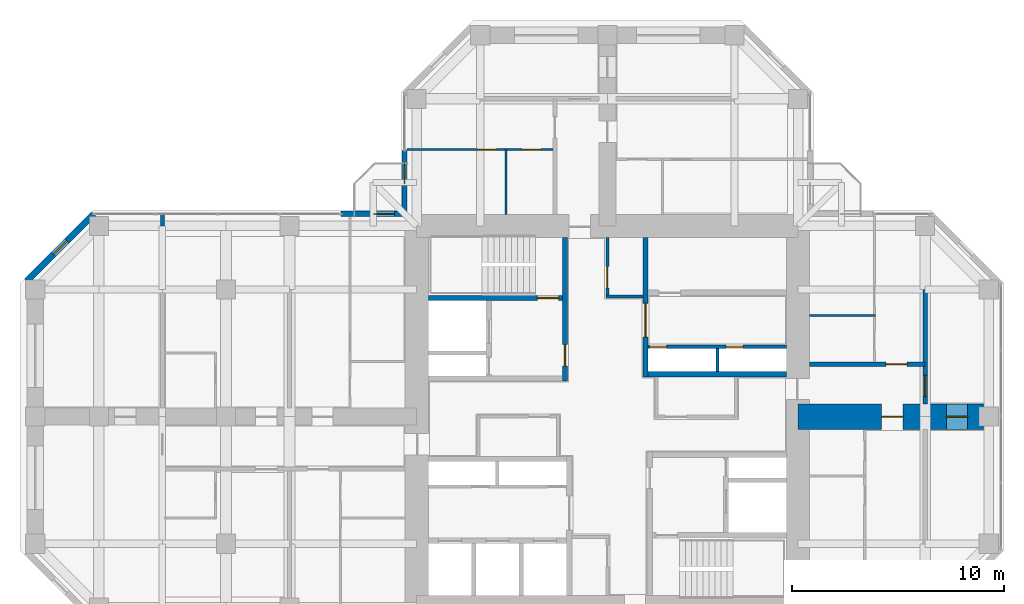
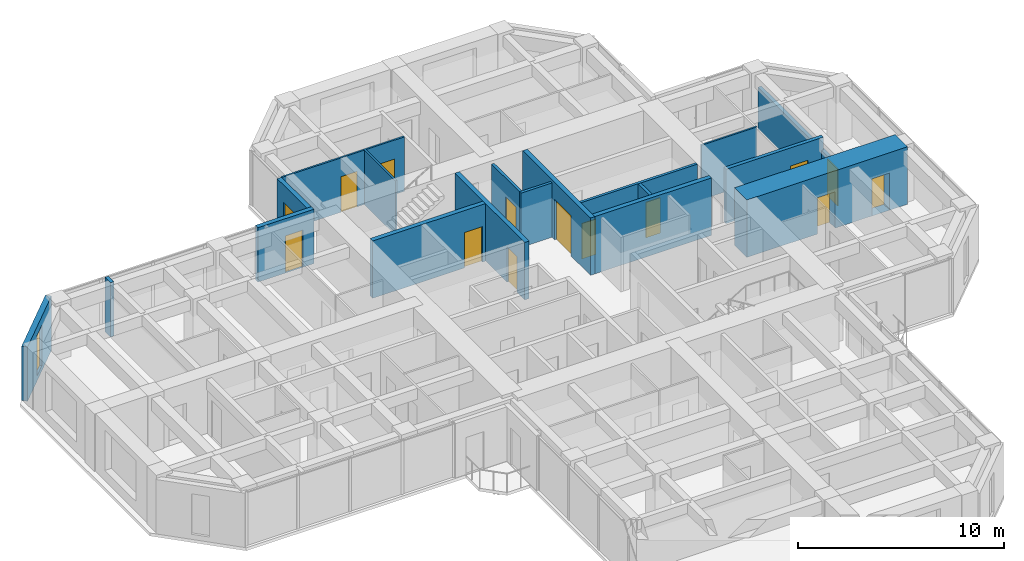
# One storey, part 11 of 14: 18 walls, 14 doors, 1 window, 15 openings.
"""IFC4 building model written with IfcOpenShell, lengths in metres."""

import ifcopenshell
import ifcopenshell.guid

model = None  # the IFC model being written
_history = None  # IfcOwnerHistory: only IFC2X3 demands one
_inside = {}  # id of a spatial element -> (the spatial element, [elements in it])
_under = {}  # id of a project, library or spatial element -> (it, [spatial elements below it])
_declared = {}  # id of a project -> (the project, [libraries it declares])
_typed = {}  # id of a type object -> (the type object, [elements of that type])
_made_of = {}  # id of a material, layer set ... -> (it, [elements and type objects made of it])


def new_model(schema):
    """Start an empty IFC model of exactly this schema.

    Asked for "IFC4X3", IfcOpenShell would pick the latest addendum, in which some entities
    have other attributes; the version numbers below select the first issue.
    IFC2X3 requires an IfcOwnerHistory on every rooted entity: one is made here for all.
    """
    global model, _history
    if schema == "IFC4X3":
        model = ifcopenshell.file(schema_version=(4, 3, 0, 0))
    else:
        model = ifcopenshell.file(schema=schema)
    _inside.clear()
    _under.clear()
    _declared.clear()
    _typed.clear()
    _made_of.clear()
    _history = None
    if model.schema == "IFC2X3":
        org = make("IfcOrganization", Name="unknown")
        user = make(
            "IfcPersonAndOrganization",
            ThePerson=make("IfcPerson", FamilyName="unknown"),
            TheOrganization=org,
        )
        app = make(
            "IfcApplication",
            ApplicationDeveloper=org,
            Version="unknown",
            ApplicationFullName="unknown",
            ApplicationIdentifier="unknown",
        )
        _history = make(
            "IfcOwnerHistory",
            OwningUser=user,
            OwningApplication=app,
            ChangeAction="ADDED",
            CreationDate=0,
        )
    return model


def make(cls, **values):
    """One entity of the class cls with the attributes given. An attribute that is None is left unset."""
    return model.create_entity(
        cls, **{name: value for name, value in values.items() if value is not None}
    )


def rooted(cls, **values):
    """An entity with a GlobalId (a new one), such as an element, a storey or a relation."""
    return make(cls, GlobalId=ifcopenshell.guid.new(), OwnerHistory=_history, **values)


def si_unit(unit_type, name, prefix=None):
    """IfcSIUnit, for example si_unit("LENGTHUNIT", "METRE", prefix="MILLI")."""
    return make("IfcSIUnit", UnitType=unit_type, Prefix=prefix, Name=name)


def assignment(units):
    """IfcUnitAssignment: the units of a project."""
    return None if units is None else make("IfcUnitAssignment", Units=units)


def point(xyz):
    """IfcCartesianPoint."""
    return None if xyz is None else make("IfcCartesianPoint", Coordinates=xyz)


def direction(xyz):
    """IfcDirection."""
    return None if xyz is None else make("IfcDirection", DirectionRatios=xyz)


def frame(location, z_axis=None, x_axis=None):
    """IfcAxis2Placement3D, a coordinate frame: its origin and axes. An axis left out is left unset."""
    return make(
        "IfcAxis2Placement3D",
        Location=point(location),
        Axis=direction(z_axis),
        RefDirection=direction(x_axis),
    )


def frame_2d(location, x_axis=None):
    """IfcAxis2Placement2D, a coordinate frame in the plane: its origin and x axis."""
    return make(
        "IfcAxis2Placement2D", Location=point(location), RefDirection=direction(x_axis)
    )


def origin():
    """The frame at (0, 0, 0) with its axes left unset."""
    return frame((0.0, 0.0, 0.0))


def place(relative_to, where):
    """IfcLocalPlacement: puts the frame where relative to a parent placement (None: the world)."""
    return make(
        "IfcLocalPlacement", PlacementRelTo=relative_to, RelativePlacement=where
    )


def context(
    kind, dimensions, precision=None, world=None, true_north=None, identifier=None
):
    """IfcGeometricRepresentationContext, for example the 3D "Model" context."""
    return make(
        "IfcGeometricRepresentationContext",
        ContextIdentifier=identifier,
        ContextType=kind,
        CoordinateSpaceDimension=dimensions,
        Precision=precision,
        WorldCoordinateSystem=world,
        TrueNorth=true_north,
    )


def subcontext(parent, identifier, kind, view, scale=None):
    """IfcGeometricRepresentationSubContext, for example "Body" below "Model"."""
    return make(
        "IfcGeometricRepresentationSubContext",
        ContextIdentifier=identifier,
        ContextType=kind,
        ParentContext=parent,
        TargetScale=scale,
        TargetView=view,
    )


def project(units=None, contexts=None):
    """IfcProject with its units and contexts."""
    return rooted(
        "IfcProject",
        Name="project",
        RepresentationContexts=contexts,
        UnitsInContext=assignment(units),
    )


def spatial(cls, under=None, at=None, **own):
    """A site, building, storey or space (cls), placed at a placement, below another one or the project."""
    s = rooted(cls, ObjectPlacement=at, **own)
    if under is not None:
        _under.setdefault(under.id(), (under, []))[1].append(s)
    return s


def profile(cls, at=None, kind="AREA", **sizes):
    """A parametric profile (cls). Its sizes go by their IFC names, for example OverallWidth=200.0."""
    return make(cls, ProfileType=kind, Position=at, **sizes)


def rectangle(**sizes):
    """IfcRectangleProfileDef."""
    return profile("IfcRectangleProfileDef", **sizes)


def hollow_rectangle(**sizes):
    """IfcRectangleHollowProfileDef."""
    return profile("IfcRectangleHollowProfileDef", **sizes)


def extrude(swept, where, along, depth):
    """IfcExtrudedAreaSolid: the profile swept, set in the frame where, extruded along a direction by depth."""
    return make(
        "IfcExtrudedAreaSolid",
        SweptArea=swept,
        Position=where,
        ExtrudedDirection=direction(along),
        Depth=depth,
    )


def shape(context_of_items, identifier, shape_type, items):
    """IfcShapeRepresentation: the items that make up one representation, for example the "Body"."""
    return make(
        "IfcShapeRepresentation",
        ContextOfItems=context_of_items,
        RepresentationIdentifier=identifier,
        RepresentationType=shape_type,
        Items=items,
    )


def material(Name=None, Category=None):
    """IfcMaterial."""
    return make("IfcMaterial", Name=Name, Category=Category)


def layer(
    of_material, thickness, ventilated=None, Name=None, Category=None, Priority=None
):
    """IfcMaterialLayer: one layer of a wall or slab, of a material (None: an air gap)."""
    return make(
        "IfcMaterialLayer",
        Material=of_material,
        LayerThickness=thickness,
        IsVentilated=ventilated,
        Name=Name,
        Category=Category,
        Priority=Priority,
    )


def layer_set(layers, Name=None):
    """IfcMaterialLayerSet."""
    return make("IfcMaterialLayerSet", MaterialLayers=layers, LayerSetName=Name)


def constituent(of_material, Name=None, Category=None, fraction=None):
    """IfcMaterialConstituent: one of the materials an element consists of."""
    return make(
        "IfcMaterialConstituent",
        Name=Name,
        Material=of_material,
        Fraction=fraction,
        Category=Category,
    )


def constituent_set(constituents=None, Name=None):
    """IfcMaterialConstituentSet."""
    return make(
        "IfcMaterialConstituentSet", Name=Name, MaterialConstituents=constituents
    )


def made_of(thing, what):
    """Note that an element or type object is made of a material, layer set ...; save() writes the relation."""
    if what is not None:
        _made_of.setdefault(what.id(), (what, []))[1].append(thing)
    return thing


def type_object(cls, material=None, **own):
    """A type object (cls), such as IfcWallType, which elements share."""
    return made_of(rooted(cls, **own), material)


def element(
    cls,
    number,
    at=None,
    inside=None,
    cuts=None,
    type_object=None,
    material=None,
    context=None,
    identifier="Body",
    shape_type=None,
    held_by="IfcProductDefinitionShape",
    body=None,
    shapes=None,
    **own,
):
    """One element of the class cls, such as IfcWall. Its Tag is "e" and its number.

    at: its placement. inside: the storey or other place that contains it. cuts: it is an
    opening in that element (IfcRelVoidsElement). A single representation is given by context,
    identifier, shape_type and body (its items); several are given by shapes. held_by: the class
    of the entity that holds the representations. save() writes the other relations.
    """
    e = rooted(cls, Tag="e%d" % number, ObjectPlacement=at, **own)
    if body is not None:
        shapes = [shape(context, identifier, shape_type, body)]
    if shapes is not None:
        e.Representation = make(held_by, Representations=shapes)
    if inside is not None:
        _inside.setdefault(inside.id(), (inside, []))[1].append(e)
    if cuts is not None:
        rooted(
            "IfcRelVoidsElement", RelatingBuildingElement=cuts, RelatedOpeningElement=e
        )
    if type_object is not None:
        _typed.setdefault(type_object.id(), (type_object, []))[1].append(e)
    return made_of(e, material)


def fill(opening, filler):
    """IfcRelFillsElement: the door or window that sits in an opening."""
    return rooted(
        "IfcRelFillsElement",
        RelatingOpeningElement=opening,
        RelatedBuildingElement=filler,
    )


def aggregate(whole, parts):
    """IfcRelAggregates: a whole, such as a stair, and the parts it consists of."""
    return rooted("IfcRelAggregates", RelatingObject=whole, RelatedObjects=parts)


def save(model, path):
    """Write the relations noted so far, then the file.

    IfcRelAggregates (storeys below a building ...), IfcRelContainedInSpatialStructure (elements
    in a storey), IfcRelDefinesByType, IfcRelAssociatesMaterial and IfcRelDeclares: one each for
    every whole, place, type object, material and project.
    """
    for whole, parts in _under.values():
        aggregate(whole, parts)
    for where, things in _inside.values():
        rooted(
            "IfcRelContainedInSpatialStructure",
            RelatedElements=things,
            RelatingStructure=where,
        )
    for kind, things in _typed.values():
        rooted("IfcRelDefinesByType", RelatedObjects=things, RelatingType=kind)
    for what, things in _made_of.values():
        rooted("IfcRelAssociatesMaterial", RelatedObjects=things, RelatingMaterial=what)
    for by, libraries in _declared.values():
        rooted("IfcRelDeclares", RelatingContext=by, RelatedDefinitions=libraries)
    model.write(path)


model = new_model("IFC4")

# Units and contexts
model_context = context("Model", 3, precision=1e-05, world=origin(), true_north=direction((0.0, 1.0)))
body_context = subcontext(model_context, "Body", "Model", "MODEL_VIEW")
ifc_project = project(units=[si_unit("LENGTHUNIT", "METRE"), si_unit("AREAUNIT", "SQUARE_METRE"), si_unit("VOLUMEUNIT", "CUBIC_METRE"), si_unit("PLANEANGLEUNIT", "RADIAN"), si_unit("MASSUNIT", "GRAM", prefix="KILO")], contexts=[model_context])

# Site, building, storey
site_placement = place(None, origin())
site = spatial("IfcSite", under=ifc_project, at=site_placement, CompositionType="ELEMENT")
building_placement = place(site_placement, origin())
building = spatial("IfcBuilding", under=site, at=building_placement, Name="Torre Cruceta", CompositionType="ELEMENT")
storey_placement = place(building_placement, frame((0.0, 0.0, 186.5)))
storey = spatial("IfcBuildingStorey", under=building, at=storey_placement, Name="L46", CompositionType="ELEMENT", Elevation=186.5)

# Wall
ifc_material_1 = material(Name="Water-resistant plasterboard on steel studs", Category="steel")
ifc_layer_1 = layer(ifc_material_1, 0.10009765625)
ifc_layer_set_1 = layer_set([ifc_layer_1], Name="Water-resistant plasterboard on steel studs")
wall_type_1 = type_object("IfcWallType", Name="BATHROOM WALL 100", PredefinedType="PARTITIONING", material=ifc_layer_set_1)
wall_1_placement = place(storey_placement, frame((-4.77490234375, 9.550048828125, 0.0), z_axis=(0.0, 0.0, 1.0), x_axis=(0.0, 1.0, 0.0)))
element("IfcWall", 1, at=wall_1_placement, inside=storey, type_object=wall_type_1, Name="PT4 L46-N-U1LBB", PredefinedType="PARTITIONING", context=body_context, shape_type="SweptSolid", body=[
    extrude(rectangle(XDim=3.099853515625, YDim=0.10009765625, at=frame_2d((1.5498046875, 0.0))), origin(), (0.0, 0.0, 1.0), 3.219970703125),
])

# Wall, openings, doors
wall_2_placement = place(storey_placement, frame((-2.574951171875, 12.60009765625, 0.0), z_axis=(0.0, 0.0, 1.0), x_axis=(-1.0, 0.0, 0.0)))
wall_2 = element("IfcWall", 2, at=wall_2_placement, inside=storey, type_object=wall_type_1, Name="PT4 L46-N-U1LBS", PredefinedType="PARTITIONING", context=body_context, shape_type="SweptSolid", body=[
    extrude(rectangle(XDim=6.8701171875, YDim=0.10009765625, at=frame_2d((3.43505859375, 0.0))), origin(), (0.0, 0.0, 1.0), 3.219970703125),
])
opening_1_placement = place(wall_2_placement, frame((0.550048828125, 0.0, 0.0)))
opening_1 = element("IfcOpeningElement", 3, at=opening_1_placement, cuts=wall_2, Name="Opening D7", PredefinedType="OPENING", context=body_context, shape_type="SweptSolid", body=[
    extrude(rectangle(XDim=0.89990234375, YDim=2.10009765625, at=frame_2d((0.449951171875, 1.050048828125))), frame((0.0, 0.06005859375, 0.0), z_axis=(0.0, -1.0, 0.0), x_axis=(1.0, 0.0, 0.0)), (0.0, 0.0, 1.0), 0.1201171875),
])
opening_2_placement = place(wall_2_placement, frame((2.64990234375, 0.0, 0.0)))
opening_2 = element("IfcOpeningElement", 4, at=opening_2_placement, cuts=wall_2, Name="Opening D7", PredefinedType="OPENING", context=body_context, shape_type="SweptSolid", body=[
    extrude(rectangle(XDim=0.89990234375, YDim=2.10009765625, at=frame_2d((0.449951171875, 1.050048828125))), frame((0.0, 0.06005859375, 0.0), z_axis=(0.0, -1.0, 0.0), x_axis=(1.0, 0.0, 0.0)), (0.0, 0.0, 1.0), 0.1201171875),
])
ifc_material_2 = material(Name="Timber door", Category="wood")
door_type_1 = type_object("IfcDoorType", Name="BATHROOM DOOR 900X2100", OperationType="SINGLE_SWING_LEFT", PredefinedType="DOOR", material=ifc_material_2)
door_1_placement = place(opening_1_placement, origin())
door_1 = element("IfcDoor", 5, at=door_1_placement, inside=storey, type_object=door_type_1, Name="D7 L46-N-U1LBS-D1", OperationType="SINGLE_SWING_LEFT", OverallHeight=2.10009765625, OverallWidth=0.89990234375, PredefinedType="DOOR", context=body_context, shape_type="SweptSolid", body=[
    extrude(rectangle(XDim=0.89990234375, YDim=2.10009765625, at=frame_2d((0.449951171875, 1.050048828125))), frame((0.0, 0.02490234375, 0.0), z_axis=(0.0, -1.0, 0.0), x_axis=(1.0, 0.0, 0.0)), (0.0, 0.0, 1.0), 0.050048828125),
])
fill(opening_1, door_1)
door_2_placement = place(opening_2_placement, origin())
door_2 = element("IfcDoor", 6, at=door_2_placement, inside=storey, type_object=door_type_1, Name="D7 L46-N-U1LBS-D2", OperationType="SINGLE_SWING_LEFT", OverallHeight=2.10009765625, OverallWidth=0.89990234375, PredefinedType="DOOR", context=body_context, shape_type="SweptSolid", body=[
    extrude(rectangle(XDim=0.89990234375, YDim=2.10009765625, at=frame_2d((0.449951171875, 1.050048828125))), frame((0.0, 0.02490234375, 0.0), z_axis=(0.0, -1.0, 0.0), x_axis=(1.0, 0.0, 0.0)), (0.0, 0.0, 1.0), 0.050048828125),
])
fill(opening_2, door_2)

# Wall
wall_3_placement = place(storey_placement, frame((9.550048828125, 4.77490234375, 0.0), z_axis=(0.0, 0.0, 1.0), x_axis=(1.0, 0.0, 0.0)))
element("IfcWall", 7, at=wall_3_placement, inside=storey, type_object=wall_type_1, Name="PT4 L46-E-U1LBB", PredefinedType="PARTITIONING", context=body_context, shape_type="SweptSolid", body=[
    extrude(rectangle(XDim=3.099853515625, YDim=0.10009765625, at=frame_2d((1.5498046875, 0.0))), origin(), (0.0, 0.0, 1.0), 3.219970703125),
])

# Wall, opening, door
ifc_material_3 = material(Name="Concrete G60 (fck 60 MPa)", Category="concrete")
ifc_layer_2 = layer(ifc_material_3, 0.25)
ifc_layer_set_2 = layer_set([ifc_layer_2], Name="Concrete G60 (fck 60 MPa)")
wall_type_2 = type_object("IfcWallType", Name="CORE INNER WALL 250 G60", PredefinedType="SHEAR", material=ifc_layer_set_2)
wall_4_placement = place(storey_placement, frame((1.800048828125, 1.875, 0.0), z_axis=(0.0, 0.0, 1.0), x_axis=(0.0, 1.0, 0.0)))
wall_4 = element("IfcWall", 8, at=wall_4_placement, inside=storey, type_object=wall_type_2, Name="CW4 L46 NE-CU", PredefinedType="SHEAR", context=body_context, shape_type="SweptSolid", body=[
    extrude(rectangle(XDim=6.574951171875, YDim=0.25, at=frame_2d((3.28759765625, 0.0))), origin(), (0.0, 0.0, 1.0), 3.39990234375),
])
opening_3_placement = place(wall_4_placement, frame((1.875, 0.0, 0.0)))
opening_3 = element("IfcOpeningElement", 9, at=opening_3_placement, cuts=wall_4, Name="Opening D15", PredefinedType="OPENING", context=body_context, shape_type="SweptSolid", body=[
    extrude(rectangle(XDim=1.60009765625, YDim=2.39990234375, at=frame_2d((0.800048828125, 1.199951171875))), frame((0.0, 0.135009765625, 0.0), z_axis=(0.0, -1.0, 0.0), x_axis=(1.0, 0.0, 0.0)), (0.0, 0.0, 1.0), 0.27001953125),
])
ifc_material_4 = material(Name="Steel DX51D", Category="steel")
ifc_constituent_1 = constituent(ifc_material_4, Name="Leaf and frame")
ifc_material_5 = material(Name="Polyester powder coating", Category="paint")
ifc_constituent_2 = constituent(ifc_material_5, Name="Finish")
ifc_constituent_set_1 = constituent_set(constituents=[ifc_constituent_1, ifc_constituent_2], Name="Steel fire door")
door_type_2 = type_object("IfcDoorType", Name="CORE ROOM DOUBLE DOOR 1600X2400", OperationType="DOUBLE_DOOR_SINGLE_SWING", PredefinedType="DOOR", material=ifc_constituent_set_1)
door_3_placement = place(opening_3_placement, frame((1.60009765625, 0.0, 0.0), z_axis=(0.0, 0.0, 1.0), x_axis=(-1.0, 0.0, 0.0)))
door_3 = element("IfcDoor", 10, at=door_3_placement, inside=storey, type_object=door_type_2, Name="D15 L46 NE-LOBBY", OperationType="DOUBLE_DOOR_SINGLE_SWING", OverallHeight=2.39990234375, OverallWidth=1.60009765625, PredefinedType="DOOR", context=body_context, shape_type="SweptSolid", body=[
    extrude(rectangle(XDim=1.60009765625, YDim=2.39990234375, at=frame_2d((0.800048828125, 1.199951171875))), frame((0.0, 0.025146484375, 0.0), z_axis=(0.0, -1.0, 0.0), x_axis=(1.0, 0.0, 0.0)), (0.0, 0.0, 1.0), 0.050048828125),
])
fill(opening_3, door_3)

# Wall
wall_5_placement = place(storey_placement, frame((1.925048828125, 2.0, 0.0), z_axis=(0.0, 0.0, 1.0), x_axis=(1.0, 0.0, 0.0)))
element("IfcWall", 11, at=wall_5_placement, inside=storey, type_object=wall_type_2, Name="CW4 L46 NE-CV", PredefinedType="SHEAR", context=body_context, shape_type="SweptSolid", body=[
    extrude(rectangle(XDim=6.52490234375, YDim=0.25, at=frame_2d((3.262451171875, 0.0))), origin(), (0.0, 0.0, 1.0), 3.39990234375),
])

# Wall, opening, door
wall_6_placement = place(storey_placement, frame((-2.0, 1.675048828125, 0.0), z_axis=(0.0, 0.0, 1.0), x_axis=(0.0, 1.0, 0.0)))
wall_6 = element("IfcWall", 12, at=wall_6_placement, inside=storey, type_object=wall_type_2, Name="CW4 L46 NW-CU", PredefinedType="SHEAR", context=body_context, shape_type="SweptSolid", body=[
    extrude(rectangle(XDim=6.77490234375, YDim=0.25, at=frame_2d((3.387451171875, 0.0))), origin(), (0.0, 0.0, 1.0), 3.39990234375),
])
opening_4_placement = place(wall_6_placement, frame((0.72509765625, 0.0, 0.0)))
opening_4 = element("IfcOpeningElement", 13, at=opening_4_placement, cuts=wall_6, Name="Opening D3", PredefinedType="OPENING", context=body_context, shape_type="SweptSolid", body=[
    extrude(rectangle(XDim=1.0, YDim=2.10009765625, at=frame_2d((0.5, 1.050048828125))), frame((0.0, 0.135009765625, 0.0), z_axis=(0.0, -1.0, 0.0), x_axis=(1.0, 0.0, 0.0)), (0.0, 0.0, 1.0), 0.27001953125),
])
ifc_material_6 = material(Name="Steel DX51D", Category="steel")
ifc_constituent_3 = constituent(ifc_material_6, Name="Leaf and frame")
ifc_material_7 = material(Name="Polyester powder coating", Category="paint")
ifc_constituent_4 = constituent(ifc_material_7, Name="Finish")
ifc_constituent_set_2 = constituent_set(constituents=[ifc_constituent_3, ifc_constituent_4], Name="Steel fire door")
door_type_3 = type_object("IfcDoorType", Name="FIRE DOOR 1000X2100", OperationType="SINGLE_SWING_LEFT", PredefinedType="DOOR", material=ifc_constituent_set_2)
door_4_placement = place(opening_4_placement, origin())
door_4 = element("IfcDoor", 14, at=door_4_placement, inside=storey, type_object=door_type_3, Name="D3 L46 NW-LOBBY", OperationType="SINGLE_SWING_LEFT", OverallHeight=2.10009765625, OverallWidth=1.0, PredefinedType="DOOR", context=body_context, shape_type="SweptSolid", body=[
    extrude(rectangle(XDim=1.0, YDim=2.10009765625, at=frame_2d((0.5, 1.050048828125))), frame((0.0, 0.02490234375, 0.0), z_axis=(0.0, -1.0, 0.0), x_axis=(1.0, 0.0, 0.0)), (0.0, 0.0, 1.0), 0.050048828125),
])
fill(opening_4, door_4)

wall_7_placement = place(storey_placement, frame((-2.125, 5.60009765625, 0.0), z_axis=(0.0, 0.0, 1.0), x_axis=(-1.0, 0.0, 0.0)))
wall_7 = element("IfcWall", 15, at=wall_7_placement, inside=storey, type_object=wall_type_2, Name="CW4 L46 NW-SV", PredefinedType="SHEAR", context=body_context, shape_type="SweptSolid", body=[
    extrude(rectangle(XDim=6.324951171875, YDim=0.25, at=frame_2d((3.16259765625, 0.0))), origin(), (0.0, 0.0, 1.0), 3.39990234375),
])
opening_5_placement = place(wall_7_placement, frame((0.175048828125, 0.0, 0.0)))
opening_5 = element("IfcOpeningElement", 16, at=opening_5_placement, cuts=wall_7, Name="Opening D3", PredefinedType="OPENING", context=body_context, shape_type="SweptSolid", body=[
    extrude(rectangle(XDim=1.0, YDim=2.10009765625, at=frame_2d((0.5, 1.050048828125))), frame((0.0, 0.135009765625, 0.0), z_axis=(0.0, -1.0, 0.0), x_axis=(1.0, 0.0, 0.0)), (0.0, 0.0, 1.0), 0.27001953125),
])
door_5_placement = place(opening_5_placement, frame((1.0, 0.0, 0.0), z_axis=(0.0, 0.0, 1.0), x_axis=(-1.0, 0.0, 0.0)))
door_5 = element("IfcDoor", 17, at=door_5_placement, inside=storey, type_object=door_type_3, Name="D3 L46 NW-STAIR", OperationType="SINGLE_SWING_RIGHT", OverallHeight=2.10009765625, OverallWidth=1.0, PredefinedType="DOOR", context=body_context, shape_type="SweptSolid", body=[
    extrude(rectangle(XDim=1.0, YDim=2.10009765625, at=frame_2d((0.5, 1.050048828125))), frame((0.0, 0.025146484375, 0.0), z_axis=(0.0, -1.0, 0.0), x_axis=(1.0, 0.0, 0.0)), (0.0, 0.0, 1.0), 0.050048828125),
])
fill(opening_5, door_5)

ifc_material_8 = material(Name="Concrete G25 (fck 25 MPa)", Category="concrete")
ifc_layer_3 = layer(ifc_material_8, 0.199951171875)
ifc_layer_set_3 = layer_set([ifc_layer_3], Name="Concrete G25 (fck 25 MPa)")
wall_type_3 = type_object("IfcWallType", Name="CORRIDOR WALL 200", PredefinedType="SOLIDWALL", material=ifc_layer_set_3)
wall_8_placement = place(storey_placement, frame((9.550048828125, 2.47509765625, 0.0), z_axis=(0.0, 0.0, 1.0), x_axis=(1.0, 0.0, 0.0)))
wall_8 = element("IfcWall", 18, at=wall_8_placement, inside=storey, type_object=wall_type_3, Name="PT3 L46-E-CL", PredefinedType="SOLIDWALL", context=body_context, shape_type="SweptSolid", body=[
    extrude(rectangle(XDim=5.449951171875, YDim=0.199951171875, at=frame_2d((2.72509765625, 0.0))), origin(), (0.0, 0.0, 1.0), 3.219970703125),
])
opening_6_placement = place(wall_8_placement, frame((3.60009765625, 0.0, 0.0)))
opening_6 = element("IfcOpeningElement", 19, at=opening_6_placement, cuts=wall_8, Name="Opening D6", PredefinedType="OPENING", context=body_context, shape_type="SweptSolid", body=[
    extrude(rectangle(XDim=1.0, YDim=2.14990234375, at=frame_2d((0.5, 1.074951171875))), frame((0.0, 0.10986328125, 0.0), z_axis=(0.0, -1.0, 0.0), x_axis=(1.0, 0.0, 0.0)), (0.0, 0.0, 1.0), 0.219970703125),
])
ifc_material_9 = material(Name="Timber fire door", Category="wood")
door_type_4 = type_object("IfcDoorType", Name="UNIT ENTRANCE DOOR 1000X2150", OperationType="SINGLE_SWING_LEFT", PredefinedType="DOOR", material=ifc_material_9)
door_6_placement = place(opening_6_placement, origin())
door_6 = element("IfcDoor", 20, at=door_6_placement, inside=storey, type_object=door_type_4, Name="D6 L46-E-CL-D1", OperationType="SINGLE_SWING_LEFT", OverallHeight=2.14990234375, OverallWidth=1.0, PredefinedType="DOOR", context=body_context, shape_type="SweptSolid", body=[
    extrude(rectangle(XDim=1.0, YDim=2.14990234375, at=frame_2d((0.5, 1.074951171875))), frame((0.0, 0.02490234375, 0.0), z_axis=(0.0, -1.0, 0.0), x_axis=(1.0, 0.0, 0.0)), (0.0, 0.0, 1.0), 0.050048828125),
])
fill(opening_6, door_6)

# Wall, opening, window
ifc_material_10 = material(Name="Concrete G30 (fck 30 MPa)", Category="concrete")
ifc_layer_4 = layer(ifc_material_10, 0.300048828125)
ifc_layer_set_4 = layer_set([ifc_layer_4], Name="Concrete G30 (fck 30 MPa)")
wall_type_4 = type_object("IfcWallType", Name="EXPOSED CONCRETE FACADE WALL 300", PredefinedType="SOLIDWALL", material=ifc_layer_set_4)
wall_9_placement = place(storey_placement, frame((-24.236083984375, 9.570068359375, 0.0), z_axis=(0.0, 0.0, 1.0), x_axis=(-0.707079499254, -0.707134062067, 0.0)))
wall_9 = element("IfcWall", 21, at=wall_9_placement, inside=storey, type_object=wall_type_4, Name="EW1 facade wall L46 W chamfer 11", PredefinedType="SOLIDWALL", context=body_context, shape_type="SweptSolid", body=[
    extrude(rectangle(XDim=4.474609375, YDim=0.300048828125, at=frame_2d((2.2373046875, 0.0))), origin(), (0.0, 0.0, 1.0), 3.219970703125),
])
opening_7_placement = place(wall_9_placement, frame((1.787109375, 0.0, 0.300048828125)))
opening_7 = element("IfcOpeningElement", 22, at=opening_7_placement, cuts=wall_9, Name="Opening WN5", PredefinedType="OPENING", context=body_context, shape_type="SweptSolid", body=[
    extrude(rectangle(XDim=0.89990234375, YDim=2.39990234375, at=frame_2d((0.449951171875, 1.199951171875))), frame((0.0, 0.159912109375, 0.0), z_axis=(0.0, -1.0, 0.0), x_axis=(1.0, 0.0, 0.0)), (0.0, 0.0, 1.0), 0.320068359375),
])
ifc_material_11 = material(Name="Aluminium window frame", Category="aluminium")
ifc_constituent_5 = constituent(ifc_material_11, Name="Frame")
ifc_material_12 = material(Name="Laminated insulating glass unit, low-iron clear", Category="glass")
ifc_constituent_6 = constituent(ifc_material_12, Name="Glazing")
ifc_constituent_set_3 = constituent_set(constituents=[ifc_constituent_5, ifc_constituent_6], Name="Aluminium window")
window_type = type_object("IfcWindowType", Name="CHAMFER SLOT WINDOW 900X2400", PartitioningType="SINGLE_PANEL", PredefinedType="WINDOW", material=ifc_constituent_set_3)
window_placement = place(opening_7_placement, origin())
window = element("IfcWindow", 23, at=window_placement, inside=storey, type_object=window_type, Name="WN5 L46 W 1", OverallHeight=2.39990234375, OverallWidth=0.89990234375, PartitioningType="SINGLE_PANEL", PredefinedType="WINDOW", context=body_context, shape_type="SweptSolid", body=[
    extrude(hollow_rectangle(XDim=0.89990234375, YDim=2.39990234375, WallThickness=0.06005859375, at=frame_2d((0.449951171875, 1.199951171875))), frame((0.0, 0.030029296875, 0.0), z_axis=(0.0, -1.0, 0.0), x_axis=(1.0, 0.0, 0.0)), (0.0, 0.0, 1.0), 0.06005859375),
    extrude(rectangle(XDim=0.77880859375, YDim=2.27880859375, at=frame_2d((0.449951171875, 1.199951171875))), frame((0.0, 0.030029296875, 0.0), z_axis=(0.0, -1.0, 0.0), x_axis=(1.0, 0.0, 0.0)), (0.0, 0.0, 1.0), 0.06005859375),
])
fill(opening_7, window)

# Wall, opening, door
ifc_material_13 = material(Name="Plasterboard on steel studs", Category="steel")
ifc_layer_5 = layer(ifc_material_13, 0.14990234375)
ifc_layer_set_5 = layer_set([ifc_layer_5], Name="Plasterboard on steel studs")
wall_type_5 = type_object("IfcWallType", Name="PARTITION 150", PredefinedType="PARTITIONING", material=ifc_layer_set_5)
wall_10_placement = place(storey_placement, frame((0.0, 5.675048828125, 0.0), z_axis=(0.0, 0.0, 1.0), x_axis=(0.0, 1.0, 0.0)))
wall_10 = element("IfcWall", 24, at=wall_10_placement, inside=storey, type_object=wall_type_5, Name="PT1 L46-CORE-LEGN-E-W1", PredefinedType="PARTITIONING", context=body_context, shape_type="SweptSolid", body=[
    extrude(rectangle(XDim=2.77490234375, YDim=0.14990234375, at=frame_2d((1.387451171875, 0.0))), origin(), (0.0, 0.0, 1.0), 3.219970703125),
])
opening_8_placement = place(wall_10_placement, frame((0.39990234375, 0.0, 0.0)))
opening_8 = element("IfcOpeningElement", 25, at=opening_8_placement, cuts=wall_10, Name="Opening D3", PredefinedType="OPENING", context=body_context, shape_type="SweptSolid", body=[
    extrude(rectangle(XDim=1.0, YDim=2.10009765625, at=frame_2d((0.5, 1.050048828125))), frame((0.0, 0.0849609375, 0.0), z_axis=(0.0, -1.0, 0.0), x_axis=(1.0, 0.0, 0.0)), (0.0, 0.0, 1.0), 0.169921875),
])
door_7_placement = place(opening_8_placement, frame((1.0, 0.0, 0.0), z_axis=(0.0, 0.0, 1.0), x_axis=(-1.0, 0.0, 0.0)))
door_7 = element("IfcDoor", 26, at=door_7_placement, inside=storey, type_object=door_type_3, Name="D3 L46-CORE-LEGN-E-W1-D1", OperationType="SINGLE_SWING_RIGHT", OverallHeight=2.10009765625, OverallWidth=1.0, PredefinedType="DOOR", context=body_context, shape_type="SweptSolid", body=[
    extrude(rectangle(XDim=1.0, YDim=2.10009765625, at=frame_2d((0.5, 1.050048828125))), frame((0.0, 0.025146484375, 0.0), z_axis=(0.0, -1.0, 0.0), x_axis=(1.0, 0.0, 0.0)), (0.0, 0.0, 1.0), 0.050048828125),
])
fill(opening_8, door_7)

# Wall
wall_11_placement = place(storey_placement, frame((1.675048828125, 5.675048828125, 0.0), z_axis=(0.0, 0.0, 1.0), x_axis=(-1.0, 0.0, 0.0)))
element("IfcWall", 27, at=wall_11_placement, inside=storey, type_object=wall_type_5, Name="PT1 L46-CORE-LEGN-E-W2", PredefinedType="PARTITIONING", context=body_context, shape_type="SweptSolid", body=[
    extrude(rectangle(XDim=1.75, YDim=0.14990234375, at=frame_2d((0.875, 0.0))), origin(), (0.0, 0.0, 1.0), 3.219970703125),
])

# Wall, openings, doors
ifc_material_14 = material(Name="Concrete block masonry", Category="masonry")
ifc_layer_6 = layer(ifc_material_14, 0.14990234375)
ifc_layer_set_6 = layer_set([ifc_layer_6], Name="Concrete block masonry")
wall_type_6 = type_object("IfcWallType", Name="RISER WALL 150", PredefinedType="PARTITIONING", material=ifc_layer_set_6)
wall_12_placement = place(storey_placement, frame((1.925048828125, 3.300048828125, 0.0), z_axis=(0.0, 0.0, 1.0), x_axis=(1.0, 0.0, 0.0)))
wall_12 = element("IfcWall", 28, at=wall_12_placement, inside=storey, type_object=wall_type_6, Name="SW7 L46 NE-RV", PredefinedType="PARTITIONING", context=body_context, shape_type="SweptSolid", body=[
    extrude(rectangle(XDim=6.52490234375, YDim=0.14990234375, at=frame_2d((3.262451171875, 0.0))), origin(), (0.0, 0.0, 1.0), 3.39990234375),
])
opening_9_placement = place(wall_12_placement, frame((0.074951171875, 0.0, 0.0)))
opening_9 = element("IfcOpeningElement", 29, at=opening_9_placement, cuts=wall_12, Name="Opening D5", PredefinedType="OPENING", context=body_context, shape_type="SweptSolid", body=[
    extrude(rectangle(XDim=0.800048828125, YDim=2.10009765625, at=frame_2d((0.39990234375, 1.050048828125))), frame((0.0, 0.0849609375, 0.0), z_axis=(0.0, -1.0, 0.0), x_axis=(1.0, 0.0, 0.0)), (0.0, 0.0, 1.0), 0.169921875),
])
opening_10_placement = place(wall_12_placement, frame((3.675048828125, 0.0, 0.0)))
opening_10 = element("IfcOpeningElement", 30, at=opening_10_placement, cuts=wall_12, Name="Opening D5", PredefinedType="OPENING", context=body_context, shape_type="SweptSolid", body=[
    extrude(rectangle(XDim=0.800048828125, YDim=2.10009765625, at=frame_2d((0.39990234375, 1.050048828125))), frame((0.0, 0.0849609375, 0.0), z_axis=(0.0, -1.0, 0.0), x_axis=(1.0, 0.0, 0.0)), (0.0, 0.0, 1.0), 0.169921875),
])
ifc_material_15 = material(Name="Steel DX51D", Category="steel")
ifc_constituent_7 = constituent(ifc_material_15, Name="Leaf and frame")
ifc_material_16 = material(Name="Polyester powder coating", Category="paint")
ifc_constituent_8 = constituent(ifc_material_16, Name="Finish")
ifc_constituent_set_4 = constituent_set(constituents=[ifc_constituent_7, ifc_constituent_8], Name="Steel fire door")
door_type_5 = type_object("IfcDoorType", Name="RISER ACCESS DOOR 800X2100", OperationType="SINGLE_SWING_LEFT", PredefinedType="DOOR", material=ifc_constituent_set_4)
door_8_placement = place(opening_9_placement, frame((0.800048828125, 0.0, 0.0), z_axis=(0.0, 0.0, 1.0), x_axis=(-1.0, 0.0, 0.0)))
door_8 = element("IfcDoor", 31, at=door_8_placement, inside=storey, type_object=door_type_5, Name="D5 L46 NE-RISER1", OperationType="SINGLE_SWING_RIGHT", OverallHeight=2.10009765625, OverallWidth=0.800048828125, PredefinedType="DOOR", context=body_context, shape_type="SweptSolid", body=[
    extrude(rectangle(XDim=0.800048828125, YDim=2.10009765625, at=frame_2d((0.400146484375, 1.050048828125))), frame((0.0, 0.025146484375, 0.0), z_axis=(0.0, -1.0, 0.0), x_axis=(1.0, 0.0, 0.0)), (0.0, 0.0, 1.0), 0.050048828125),
])
fill(opening_9, door_8)
door_9_placement = place(opening_10_placement, frame((0.800048828125, 0.0, 0.0), z_axis=(0.0, 0.0, 1.0), x_axis=(-1.0, 0.0, 0.0)))
door_9 = element("IfcDoor", 32, at=door_9_placement, inside=storey, type_object=door_type_5, Name="D5 L46 NE-RISER2", OperationType="SINGLE_SWING_RIGHT", OverallHeight=2.10009765625, OverallWidth=0.800048828125, PredefinedType="DOOR", context=body_context, shape_type="SweptSolid", body=[
    extrude(rectangle(XDim=0.800048828125, YDim=2.10009765625, at=frame_2d((0.400146484375, 1.050048828125))), frame((0.0, 0.025146484375, 0.0), z_axis=(0.0, -1.0, 0.0), x_axis=(1.0, 0.0, 0.0)), (0.0, 0.0, 1.0), 0.050048828125),
])
fill(opening_10, door_9)

# Wall
wall_13_placement = place(storey_placement, frame((5.199951171875, 2.125, 0.0), z_axis=(0.0, 0.0, 1.0), x_axis=(0.0, 1.0, 0.0)))
element("IfcWall", 33, at=wall_13_placement, inside=storey, type_object=wall_type_6, Name="SW7 L46 NE-RU", PredefinedType="PARTITIONING", context=body_context, shape_type="SweptSolid", body=[
    extrude(rectangle(XDim=1.10009765625, YDim=0.14990234375, at=frame_2d((0.550048828125, 0.0))), origin(), (0.0, 0.0, 1.0), 3.39990234375),
])

# Wall, openings, doors
ifc_material_17 = material(Name="Concrete G60 (fck 60 MPa)", Category="concrete")
ifc_layer_7 = layer(ifc_material_17, 1.199951171875)
ifc_layer_set_7 = layer_set([ifc_layer_7], Name="Concrete G60 (fck 60 MPa)")
wall_type_7 = type_object("IfcWallType", Name="SPINE WALL 1200 G60", PredefinedType="SHEAR", material=ifc_layer_set_7)
wall_14_placement = place(storey_placement, frame((9.0, 0.0, 0.0), z_axis=(0.0, 0.0, 1.0), x_axis=(1.0, 0.0, 0.0)))
wall_14 = element("IfcWall", 34, at=wall_14_placement, inside=storey, type_object=wall_type_7, Name="SW3 spine wall L46 E", PredefinedType="SHEAR", context=body_context, shape_type="SweptSolid", body=[
    extrude(rectangle(XDim=9.0, YDim=1.199951171875, at=frame_2d((4.5, 0.0))), origin(), (0.0, 0.0, 1.0), 3.39990234375),
])
opening_11_placement = place(wall_14_placement, frame((3.949951171875, 0.0, 0.0)))
opening_11 = element("IfcOpeningElement", 35, at=opening_11_placement, cuts=wall_14, Name="Opening D6", PredefinedType="OPENING", context=body_context, shape_type="SweptSolid", body=[
    extrude(rectangle(XDim=1.0, YDim=2.14990234375, at=frame_2d((0.5, 1.074951171875))), frame((0.0, 0.60986328125, 0.0), z_axis=(0.0, -1.0, 0.0), x_axis=(1.0, 0.0, 0.0)), (0.0, 0.0, 1.0), 1.219970703125),
])
opening_12_placement = place(wall_14_placement, frame((7.0, 0.0, 0.0)))
opening_12 = element("IfcOpeningElement", 36, at=opening_12_placement, cuts=wall_14, Name="Opening D14", PredefinedType="OPENING", context=body_context, shape_type="SweptSolid", body=[
    extrude(rectangle(XDim=1.0, YDim=2.199951171875, at=frame_2d((0.5, 1.10009765625))), frame((0.0, 0.60986328125, 0.0), z_axis=(0.0, -1.0, 0.0), x_axis=(1.0, 0.0, 0.0)), (0.0, 0.0, 1.0), 1.219970703125),
])
ifc_material_18 = material(Name="Steel DX51D", Category="steel")
ifc_constituent_9 = constituent(ifc_material_18, Name="Leaf and frame")
ifc_material_19 = material(Name="Polyester powder coating", Category="paint")
ifc_constituent_10 = constituent(ifc_material_19, Name="Finish")
ifc_material_20 = material(Name="Fire-resisting glass", Category="glass")
ifc_constituent_11 = constituent(ifc_material_20, Name="Vision panel")
ifc_constituent_set_5 = constituent_set(constituents=[ifc_constituent_9, ifc_constituent_10, ifc_constituent_11], Name="Steel fire door with vision panel")
door_type_6 = type_object("IfcDoorType", Name="FIRE DOOR VISION PANEL 1000X2200", OperationType="SINGLE_SWING_RIGHT", PredefinedType="DOOR", material=ifc_constituent_set_5)
door_10_placement = place(opening_12_placement, origin())
door_10 = element("IfcDoor", 37, at=door_10_placement, inside=storey, type_object=door_type_6, Name="D14 L46-E-SP2", OperationType="SINGLE_SWING_LEFT", OverallHeight=2.199951171875, OverallWidth=1.0, PredefinedType="DOOR", context=body_context, shape_type="SweptSolid", body=[
    extrude(rectangle(XDim=1.0, YDim=2.199951171875, at=frame_2d((0.5, 1.10009765625))), frame((0.0, 0.02490234375, 0.0), z_axis=(0.0, -1.0, 0.0), x_axis=(1.0, 0.0, 0.0)), (0.0, 0.0, 1.0), 0.050048828125),
])
fill(opening_12, door_10)
door_11_placement = place(opening_11_placement, frame((1.0, 0.0, 0.0), z_axis=(0.0, 0.0, 1.0), x_axis=(-1.0, 0.0, 0.0)))
door_11 = element("IfcDoor", 38, at=door_11_placement, inside=storey, type_object=door_type_4, Name="D6 L46-E-SP1", OperationType="SINGLE_SWING_RIGHT", OverallHeight=2.14990234375, OverallWidth=1.0, PredefinedType="DOOR", context=body_context, shape_type="SweptSolid", body=[
    extrude(rectangle(XDim=1.0, YDim=2.14990234375, at=frame_2d((0.5, 1.074951171875))), frame((0.0, 0.025146484375, 0.0), z_axis=(0.0, -1.0, 0.0), x_axis=(1.0, 0.0, 0.0)), (0.0, 0.0, 1.0), 0.050048828125),
])
fill(opening_11, door_11)

# Wall, opening, door
ifc_material_21 = material(Name="Concrete G25 (fck 25 MPa)", Category="concrete")
ifc_layer_8 = layer(ifc_material_21, 0.199951171875)
ifc_layer_set_8 = layer_set([ifc_layer_8], Name="Concrete G25 (fck 25 MPa)")
wall_type_8 = type_object("IfcWallType", Name="UNIT SEPARATING WALL 200", PredefinedType="SOLIDWALL", material=ifc_layer_set_8)
wall_15_placement = place(storey_placement, frame((15.0, 0.60009765625, 0.0), z_axis=(0.0, 0.0, 1.0), x_axis=(0.0, 1.0, 0.0)))
wall_15 = element("IfcWall", 39, at=wall_15_placement, inside=storey, type_object=wall_type_8, Name="PT2 L46-E-ENDb", PredefinedType="SOLIDWALL", context=body_context, shape_type="SweptSolid", body=[
    extrude(rectangle(XDim=7.949951171875, YDim=0.199951171875, at=frame_2d((3.97509765625, 0.0))), origin(), (0.0, 0.0, 1.0), 2.469970703125),
])
opening_13_placement = place(wall_15_placement, frame((0.35009765625, 0.0, 0.0)))
opening_13 = element("IfcOpeningElement", 40, at=opening_13_placement, cuts=wall_15, Name="Opening D14", PredefinedType="OPENING", context=body_context, shape_type="SweptSolid", body=[
    extrude(rectangle(XDim=1.0, YDim=2.199951171875, at=frame_2d((0.5, 1.10009765625))), frame((0.0, 0.10986328125, 0.0), z_axis=(0.0, -1.0, 0.0), x_axis=(1.0, 0.0, 0.0)), (0.0, 0.0, 1.0), 0.219970703125),
])
door_12_placement = place(opening_13_placement, frame((1.0, 0.0, 0.0), z_axis=(0.0, 0.0, 1.0), x_axis=(-1.0, 0.0, 0.0)))
door_12 = element("IfcDoor", 41, at=door_12_placement, inside=storey, type_object=door_type_6, Name="D14 L46-E-ENDb-D1", OperationType="SINGLE_SWING_LEFT", OverallHeight=2.199951171875, OverallWidth=1.0, PredefinedType="DOOR", context=body_context, shape_type="SweptSolid", body=[
    extrude(rectangle(XDim=1.0, YDim=2.199951171875, at=frame_2d((0.5, 1.10009765625))), frame((0.0, 0.025146484375, 0.0), z_axis=(0.0, -1.0, 0.0), x_axis=(1.0, 0.0, 0.0)), (0.0, 0.0, 1.0), 0.050048828125),
])
fill(opening_13, door_12)

# Wall
wall_16_placement = place(storey_placement, frame((-21.0, 9.530029296875, 0.0), z_axis=(0.0, 0.0, 1.0), x_axis=(0.0, -1.0, 0.0)))
element("IfcWall", 42, at=wall_16_placement, inside=storey, type_object=wall_type_8, Name="PT2 L46-W-ENDa", PredefinedType="SOLIDWALL", context=body_context, shape_type="SweptSolid", body=[
    extrude(rectangle(XDim=0.530029296875, YDim=0.199951171875, at=frame_2d((0.26513671875, 0.0))), origin(), (0.0, 0.0, 1.0), 3.219970703125),
])

# Wall, opening, door
ifc_material_22 = material(Name="Concrete G30 (fck 30 MPa)", Category="concrete")
ifc_layer_9 = layer(ifc_material_22, 0.25)
ifc_layer_set_9 = layer_set([ifc_layer_9], Name="Concrete G30 (fck 30 MPa)")
wall_type_9 = type_object("IfcWallType", Name="WINTER GARDEN WALL 250", PredefinedType="SOLIDWALL", material=ifc_layer_set_9)
wall_17_placement = place(storey_placement, frame((-9.570068359375, 12.570068359375, 0.0), z_axis=(0.0, 0.0, 1.0), x_axis=(0.0, -1.0, 0.0)))
wall_17 = element("IfcWall", 43, at=wall_17_placement, inside=storey, type_object=wall_type_9, Name="EW2 winter garden wall L46 09", PredefinedType="SOLIDWALL", context=body_context, shape_type="SweptSolid", body=[
    extrude(rectangle(XDim=2.875, YDim=0.25, at=frame_2d((1.4375, 0.0))), origin(), (0.0, 0.0, 1.0), 3.219970703125),
])
opening_14_placement = place(wall_17_placement, frame((0.60009765625, 0.0, 0.0)))
opening_14 = element("IfcOpeningElement", 44, at=opening_14_placement, cuts=wall_17, Name="Opening D10", PredefinedType="OPENING", context=body_context, shape_type="SweptSolid", body=[
    extrude(rectangle(XDim=1.0, YDim=2.199951171875, at=frame_2d((0.5, 1.10009765625))), frame((0.0, 0.135009765625, 0.0), z_axis=(0.0, -1.0, 0.0), x_axis=(1.0, 0.0, 0.0)), (0.0, 0.0, 1.0), 0.27001953125),
])
ifc_material_23 = material(Name="Aluminium door frame", Category="aluminium")
ifc_constituent_12 = constituent(ifc_material_23, Name="Frame")
ifc_material_24 = material(Name="Laminated safety glass", Category="glass")
ifc_constituent_13 = constituent(ifc_material_24, Name="Glazing")
ifc_constituent_set_6 = constituent_set(constituents=[ifc_constituent_12, ifc_constituent_13], Name="Aluminium glazed door")
door_type_7 = type_object("IfcDoorType", Name="BALCONY DOOR 1000X2200", OperationType="SINGLE_SWING_RIGHT", PredefinedType="DOOR", material=ifc_constituent_set_6)
door_13_placement = place(opening_14_placement, origin())
door_13 = element("IfcDoor", 45, at=door_13_placement, inside=storey, type_object=door_type_7, Name="D10 balcony door L46 09", OperationType="SINGLE_SWING_LEFT", OverallHeight=2.199951171875, OverallWidth=1.0, PredefinedType="DOOR", context=body_context, shape_type="SweptSolid", body=[
    extrude(hollow_rectangle(XDim=1.0, YDim=2.199951171875, WallThickness=0.06005859375, at=frame_2d((0.5, 1.10009765625))), frame((0.0, 0.02490234375, 0.0), z_axis=(0.0, -1.0, 0.0), x_axis=(1.0, 0.0, 0.0)), (0.0, 0.0, 1.0), 0.050048828125),
    extrude(rectangle(XDim=0.87890625, YDim=2.078857421875, at=frame_2d((0.5, 1.10009765625))), frame((0.0, 0.02490234375, 0.0), z_axis=(0.0, -1.0, 0.0), x_axis=(1.0, 0.0, 0.0)), (0.0, 0.0, 1.0), 0.050048828125),
])
fill(opening_14, door_13)

wall_18_placement = place(storey_placement, frame((-9.445068359375, 9.570068359375, 0.0), z_axis=(0.0, 0.0, 1.0), x_axis=(-1.0, 0.0, 0.0)))
wall_18 = element("IfcWall", 46, at=wall_18_placement, inside=storey, type_object=wall_type_9, Name="EW2 winter garden wall L46 10", PredefinedType="SOLIDWALL", context=body_context, shape_type="SweptSolid", body=[
    extrude(rectangle(XDim=3.125, YDim=0.25, at=frame_2d((1.5625, 0.0))), origin(), (0.0, 0.0, 1.0), 3.219970703125),
])
opening_15_placement = place(wall_18_placement, frame((0.60009765625, 0.0, 0.0)))
opening_15 = element("IfcOpeningElement", 47, at=opening_15_placement, cuts=wall_18, Name="Opening D10", PredefinedType="OPENING", context=body_context, shape_type="SweptSolid", body=[
    extrude(rectangle(XDim=1.0, YDim=2.199951171875, at=frame_2d((0.5, 1.10009765625))), frame((0.0, 0.135009765625, 0.0), z_axis=(0.0, -1.0, 0.0), x_axis=(1.0, 0.0, 0.0)), (0.0, 0.0, 1.0), 0.27001953125),
])
door_14_placement = place(opening_15_placement, origin())
door_14 = element("IfcDoor", 48, at=door_14_placement, inside=storey, type_object=door_type_7, Name="D10 balcony door L46 10", OperationType="SINGLE_SWING_LEFT", OverallHeight=2.199951171875, OverallWidth=1.0, PredefinedType="DOOR", context=body_context, shape_type="SweptSolid", body=[
    extrude(hollow_rectangle(XDim=1.0, YDim=2.199951171875, WallThickness=0.06005859375, at=frame_2d((0.5, 1.10009765625))), frame((0.0, 0.02490234375, 0.0), z_axis=(0.0, -1.0, 0.0), x_axis=(1.0, 0.0, 0.0)), (0.0, 0.0, 1.0), 0.050048828125),
    extrude(rectangle(XDim=0.87890625, YDim=2.078857421875, at=frame_2d((0.5, 1.10009765625))), frame((0.0, 0.02490234375, 0.0), z_axis=(0.0, -1.0, 0.0), x_axis=(1.0, 0.0, 0.0)), (0.0, 0.0, 1.0), 0.050048828125),
])
fill(opening_15, door_14)

save(model, "model.ifc")
